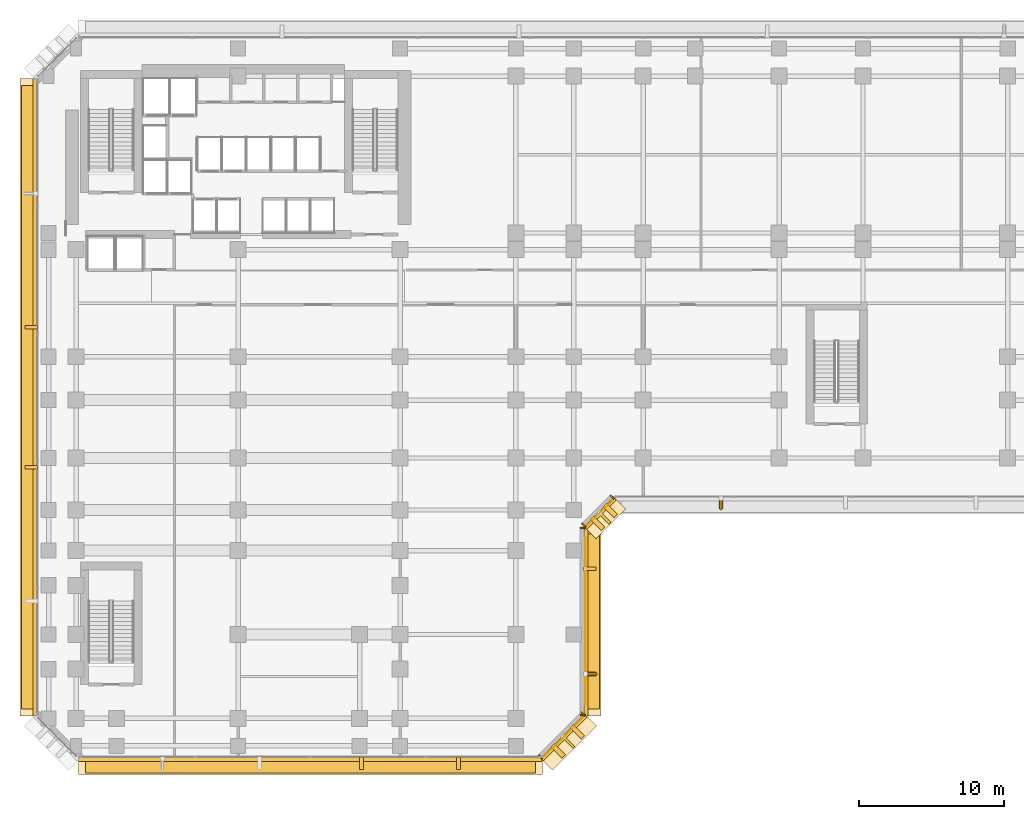
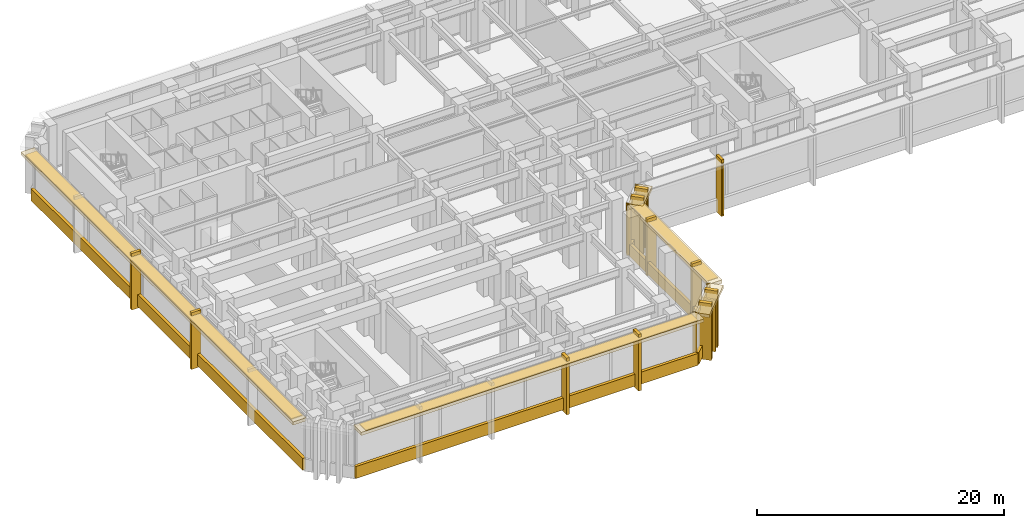
# One storey, part 14 of 20: 30 coverings, 7 shading devices.
"""IFC4 building model written with IfcOpenShell, lengths in metres."""

from ifc_helpers import new_model, si_unit, direction, frame, origin, origin_2d, place, context, subcontext, project, spatial, rectangle, extrude, material, layer, layer_set, material_profile, profile_set, type_object, element, save


model = new_model("IFC4")

# Units and contexts
model_context = context("Model", 3, precision=1e-05, world=origin(), true_north=direction((0.0, 1.0)))
body_context = subcontext(model_context, "Body", "Model", "MODEL_VIEW")
ifc_project = project(units=[si_unit("LENGTHUNIT", "METRE"), si_unit("AREAUNIT", "SQUARE_METRE"), si_unit("VOLUMEUNIT", "CUBIC_METRE"), si_unit("PLANEANGLEUNIT", "RADIAN"), si_unit("MASSUNIT", "GRAM", prefix="KILO")], contexts=[model_context])

# Site, building, storey
site_placement = place(None, origin())
site = spatial("IfcSite", under=ifc_project, at=site_placement, CompositionType="ELEMENT")
building_placement = place(site_placement, origin())
building = spatial("IfcBuilding", under=site, at=building_placement, Name="Kefirva Bronze Tower", CompositionType="ELEMENT")
storey_placement = place(building_placement, frame((0.0, 0.0, 5.93994140625)))
storey = spatial("IfcBuildingStorey", under=building, at=storey_placement, Name="L01", CompositionType="ELEMENT", Elevation=5.93994140625)

# Coverings
ifc_material = material(Name="Bronze anodised aluminium", Category="aluminium")
ifc_layer_1 = layer(ifc_material, 0.02001953125, Name="Bronze anodised aluminium")
ifc_layer_set_1 = layer_set([ifc_layer_1], Name="Bronze anodised aluminium")
covering_type_1 = type_object("IfcCoveringType", Name="Anodised Bronze Spandrel Cladding 20mm", PredefinedType="CLADDING", material=ifc_layer_set_1)
covering_1_placement = place(storey_placement, frame((17.0, -2.0400390625, -0.15966796875), z_axis=(0.0, 0.0, 1.0), x_axis=(1.0, 0.0, 0.0)))
element("IfcCovering", 1, at=covering_1_placement, inside=storey, type_object=covering_type_1, Name="L01 Streamline Horizontal Spandrel Band 0", PredefinedType="CLADDING", context=body_context, shape_type="SweptSolid", body=[
    extrude(rectangle(XDim=32.0400390625, YDim=0.280029296875, at=origin_2d()), origin(), (0.0, 0.0, 1.0), 1.179931640625),
])
covering_2_placement = place(storey_placement, frame((34.507080078125, -0.507080078125, 4.5400390625), z_axis=(0.0, 0.0, 1.0), x_axis=(0.707106781187, 0.707106781187, 0.0)))
element("IfcCovering", 2, at=covering_2_placement, inside=storey, type_object=covering_type_1, Name="L01 Bronze Spandrel Cladding 1", PredefinedType="CLADDING", context=body_context, shape_type="SweptSolid", body=[
    extrude(rectangle(XDim=3.719482421875, YDim=0.02001953125, at=origin_2d()), origin(), (0.0, 0.0, 1.0), 0.39990234375),
])
for number, where, z_axis, x_axis, name in (
    (3, (32.8974609375, -1.847900390625, 0.0), (0.0, 0.0, 1.0), (0.707106781187, 0.707106781187, 0.0), "L01 Facade Joint Closure Panel 1S"),
    (4, (35.847900390625, 1.1025390625, 0.0), (0.0, 0.0, 1.0), (0.707106781187, 0.707106781187, 0.0), "L01 Facade Joint Closure Panel 1E"),
):
    element("IfcCovering", number, at=place(storey_placement, frame(where, z_axis=z_axis, x_axis=x_axis)), inside=storey, type_object=covering_type_1, Name=name, PredefinedType="CLADDING", context=body_context, shape_type="SweptSolid", body=[
        extrude(rectangle(XDim=0.10009765625, YDim=0.360107421875, at=origin_2d()), origin(), (0.0, 0.0, 1.0), 4.9599609375),
    ])
covering_3_placement = place(storey_placement, frame((34.5283203125, -0.5283203125, -0.15966796875), z_axis=(0.0, 0.0, 1.0), x_axis=(0.707106781187, 0.707106781187, 0.0)))
element("IfcCovering", 5, at=covering_3_placement, inside=storey, type_object=covering_type_1, Name="L01 Streamline Horizontal Spandrel Band 1", PredefinedType="CLADDING", context=body_context, shape_type="SweptSolid", body=[
    extrude(rectangle(XDim=4.28271484375, YDim=0.280029296875, at=origin_2d()), origin(), (0.0, 0.0, 1.0), 1.179931640625),
])
covering_4_placement = place(storey_placement, frame((36.010009765625, 7.5, 4.5400390625), z_axis=(0.0, 0.0, 1.0), x_axis=(0.0, 1.0, 0.0)))
element("IfcCovering", 6, at=covering_4_placement, inside=storey, type_object=covering_type_1, Name="L01 Bronze Spandrel Cladding 2", PredefinedType="CLADDING", context=body_context, shape_type="SweptSolid", body=[
    extrude(rectangle(XDim=11.60107421875, YDim=0.02001953125, at=origin_2d()), origin(), (0.0, 0.0, 1.0), 0.39990234375),
])
for number, where, z_axis, x_axis, name in (
    (7, (35.820068359375, 1.034912109375, 0.0), (0.0, 0.0, 1.0), (0.0, 1.0, 0.0), "L01 Facade Joint Closure Panel 2S"),
    (8, (35.820068359375, 13.965087890625, 0.0), (0.0, 0.0, 1.0), (0.0, 1.0, 0.0), "L01 Facade Joint Closure Panel 2E"),
):
    element("IfcCovering", number, at=place(storey_placement, frame(where, z_axis=z_axis, x_axis=x_axis)), inside=storey, type_object=covering_type_1, Name=name, PredefinedType="CLADDING", context=body_context, shape_type="SweptSolid", body=[
        extrude(rectangle(XDim=0.10009765625, YDim=0.360107421875, at=origin_2d()), origin(), (0.0, 0.0, 1.0), 4.9599609375),
    ])
covering_5_placement = place(storey_placement, frame((36.0400390625, 7.5, -0.15966796875), z_axis=(0.0, 0.0, 1.0), x_axis=(0.0, 1.0, 0.0)))
element("IfcCovering", 9, at=covering_5_placement, inside=storey, type_object=covering_type_1, Name="L01 Streamline Horizontal Spandrel Band 2", PredefinedType="CLADDING", context=body_context, shape_type="SweptSolid", body=[
    extrude(rectangle(XDim=13.0400390625, YDim=0.280029296875, at=origin_2d()), origin(), (0.0, 0.0, 1.0), 1.179931640625),
])
covering_6_placement = place(storey_placement, frame((37.007080078125, 14.992919921875, 4.5400390625), z_axis=(0.0, 0.0, 1.0), x_axis=(0.707106781187, 0.707106781187, 0.0)))
element("IfcCovering", 10, at=covering_6_placement, inside=storey, type_object=covering_type_1, Name="L01 Bronze Spandrel Cladding 3", PredefinedType="CLADDING", context=body_context, shape_type="SweptSolid", body=[
    extrude(rectangle(XDim=2.446533203125, YDim=0.02001953125, at=origin_2d()), origin(), (0.0, 0.0, 1.0), 0.39990234375),
])
for number, where, z_axis, x_axis, name in (
    (11, (35.8974609375, 14.152099609375, 0.0), (0.0, 0.0, 1.0), (0.707106781187, 0.707106781187, 0.0), "L01 Facade Joint Closure Panel 3S"),
    (12, (37.847900390625, 16.1025390625, 0.0), (0.0, 0.0, 1.0), (0.707106781187, 0.707106781187, 0.0), "L01 Facade Joint Closure Panel 3E"),
):
    element("IfcCovering", number, at=place(storey_placement, frame(where, z_axis=z_axis, x_axis=x_axis)), inside=storey, type_object=covering_type_1, Name=name, PredefinedType="CLADDING", context=body_context, shape_type="SweptSolid", body=[
        extrude(rectangle(XDim=0.10009765625, YDim=0.360107421875, at=origin_2d()), origin(), (0.0, 0.0, 1.0), 4.9599609375),
    ])
covering_7_placement = place(storey_placement, frame((37.0283203125, 14.9716796875, -0.15966796875), z_axis=(0.0, 0.0, 1.0), x_axis=(0.707106781187, 0.707106781187, 0.0)))
element("IfcCovering", 13, at=covering_7_placement, inside=storey, type_object=covering_type_1, Name="L01 Streamline Horizontal Spandrel Band 3", PredefinedType="CLADDING", context=body_context, shape_type="SweptSolid", body=[
    extrude(rectangle(XDim=2.868408203125, YDim=0.280029296875, at=origin_2d()), origin(), (0.0, 0.0, 1.0), 1.179931640625),
])
covering_8_placement = place(storey_placement, frame((-2.0400390625, 23.0, -0.15966796875), z_axis=(0.0, 0.0, 1.0), x_axis=(0.0, -1.0, 0.0)))
element("IfcCovering", 14, at=covering_8_placement, inside=storey, type_object=covering_type_1, Name="L01 Streamline Horizontal Spandrel Band 10", PredefinedType="CLADDING", context=body_context, shape_type="SweptSolid", body=[
    extrude(rectangle(XDim=44.0400390625, YDim=0.280029296875, at=origin_2d()), origin(), (0.0, 0.0, 1.0), 1.179931640625),
])

# Shading devices
ifc_material_profile_1 = material_profile(ifc_material, rectangle(XDim=0.179931640625, YDim=1.080078125, at=origin_2d()), Name="BRONZE BUTTRESS FIN 180x1080")
ifc_profile_set_1 = profile_set([ifc_material_profile_1], Name="Bronze anodised aluminium")
shading_device_type_1 = type_object("IfcShadingDeviceType", Name="Chamfered Corner Buttress Bronze Fin 1080mm", PredefinedType="USERDEFINED", material=ifc_profile_set_1)
for number, where, z_axis, x_axis, name in (
    (15, (34.8251953125, -0.8251953125, -0.139892578125), (0.0, 0.0, 1.0), (0.707106781187, 0.707106781187, 0.0), "L01 Chamfered Corner Buttress Fin 6"),
    (16, (37.3251953125, 14.6748046875, -0.139892578125), (0.0, 0.0, 1.0), (0.707106781187, 0.707106781187, 0.0), "L01 Chamfered Corner Buttress Fin 10"),
):
    element("IfcShadingDevice", number, at=place(storey_placement, frame(where, z_axis=z_axis, x_axis=x_axis)), inside=storey, type_object=shading_device_type_1, Name=name, ObjectType="VERTICAL FIN", PredefinedType="USERDEFINED", context=body_context, shape_type="SweptSolid", body=[
        extrude(rectangle(XDim=0.179931640625, YDim=1.080078125, at=origin_2d()), origin(), (0.0, 0.0, 1.0), 5.099853515625),
    ])
ifc_layer_2 = layer(ifc_material, 0.1201171875, Name="Bronze anodised aluminium")
ifc_layer_set_2 = layer_set([ifc_layer_2], Name="Bronze anodised aluminium")
shading_device_type_2 = type_object("IfcShadingDeviceType", Name="Podium Deep Bronze Canopy Sunshade 1050mm", PredefinedType="JALOUSIE", material=ifc_layer_set_2)
shading_device_1_placement = place(storey_placement, frame((17.0, -2.445068359375, 4.85498046875), z_axis=(0.0, 0.0, 1.0), x_axis=(1.0, 0.0, 0.0)))
element("IfcShadingDevice", 17, at=shading_device_1_placement, inside=storey, type_object=shading_device_type_2, Name="L01 Horizontal Bronze Sunshade Band 0", PredefinedType="JALOUSIE", context=body_context, shape_type="SweptSolid", body=[
    extrude(rectangle(XDim=31.090087890625, YDim=1.050048828125, at=origin_2d()), origin(), (0.0, 0.0, 1.0), 0.090087890625),
])
shading_device_2_placement = place(storey_placement, frame((36.445068359375, 7.5, 4.85498046875), z_axis=(0.0, 0.0, 1.0), x_axis=(0.0, 1.0, 0.0)))
element("IfcShadingDevice", 18, at=shading_device_2_placement, inside=storey, type_object=shading_device_type_2, Name="L01 Horizontal Bronze Sunshade Band 2", PredefinedType="JALOUSIE", context=body_context, shape_type="SweptSolid", body=[
    extrude(rectangle(XDim=12.090087890625, YDim=1.050048828125, at=origin_2d()), origin(), (0.0, 0.0, 1.0), 0.090087890625),
])
shading_device_3_placement = place(storey_placement, frame((-2.445068359375, 23.0, 4.85498046875), z_axis=(0.0, 0.0, 1.0), x_axis=(0.0, -1.0, 0.0)))
element("IfcShadingDevice", 19, at=shading_device_3_placement, inside=storey, type_object=shading_device_type_2, Name="L01 Horizontal Bronze Sunshade Band 10", PredefinedType="JALOUSIE", context=body_context, shape_type="SweptSolid", body=[
    extrude(rectangle(XDim=43.090087890625, YDim=1.050048828125, at=origin_2d()), origin(), (0.0, 0.0, 1.0), 0.090087890625),
])

# Coverings
ifc_layer_3 = layer(ifc_material, 0.179931640625, Name="Bronze anodised aluminium")
ifc_layer_set_3 = layer_set([ifc_layer_3], Name="Bronze anodised aluminium")
covering_type_2 = type_object("IfcCoveringType", Name="Streamline Bronze Sunshade Eyebrow Cladding 180mm", PredefinedType="CLADDING", material=ifc_layer_set_3)
covering_9_placement = place(storey_placement, frame((17.0, -2.4599609375, 4.64013671875), z_axis=(0.0, 0.0, 1.0), x_axis=(1.0, 0.0, 0.0)))
element("IfcCovering", 20, at=covering_9_placement, inside=storey, type_object=covering_type_2, Name="L01 Streamline Bronze Sunshade Eyebrow 0", PredefinedType="CLADDING", context=body_context, shape_type="SweptSolid", body=[
    extrude(rectangle(XDim=32.080078125, YDim=1.239990234375, at=origin_2d()), origin(), (0.0, 0.0, 1.0), 0.320068359375),
])
covering_10_placement = place(storey_placement, frame((34.8251953125, -0.8251953125, 4.64013671875), z_axis=(0.0, 0.0, 1.0), x_axis=(0.707106781187, 0.707106781187, 0.0)))
element("IfcCovering", 21, at=covering_10_placement, inside=storey, type_object=covering_type_2, Name="L01 Streamline Bronze Sunshade Eyebrow 1", PredefinedType="CLADDING", context=body_context, shape_type="SweptSolid", body=[
    extrude(rectangle(XDim=4.322509765625, YDim=1.239990234375, at=origin_2d()), origin(), (0.0, 0.0, 1.0), 0.320068359375),
])
covering_11_placement = place(storey_placement, frame((36.4599609375, 7.5, 4.64013671875), z_axis=(0.0, 0.0, 1.0), x_axis=(0.0, 1.0, 0.0)))
element("IfcCovering", 22, at=covering_11_placement, inside=storey, type_object=covering_type_2, Name="L01 Streamline Bronze Sunshade Eyebrow 2", PredefinedType="CLADDING", context=body_context, shape_type="SweptSolid", body=[
    extrude(rectangle(XDim=13.080078125, YDim=1.239990234375, at=origin_2d()), origin(), (0.0, 0.0, 1.0), 0.320068359375),
])
covering_12_placement = place(storey_placement, frame((37.3251953125, 14.6748046875, 4.64013671875), z_axis=(0.0, 0.0, 1.0), x_axis=(0.707106781187, 0.707106781187, 0.0)))
element("IfcCovering", 23, at=covering_12_placement, inside=storey, type_object=covering_type_2, Name="L01 Streamline Bronze Sunshade Eyebrow 3", PredefinedType="CLADDING", context=body_context, shape_type="SweptSolid", body=[
    extrude(rectangle(XDim=2.908447265625, YDim=1.239990234375, at=origin_2d()), origin(), (0.0, 0.0, 1.0), 0.320068359375),
])
covering_13_placement = place(storey_placement, frame((-2.4599609375, 23.0, 4.64013671875), z_axis=(0.0, 0.0, 1.0), x_axis=(0.0, -1.0, 0.0)))
element("IfcCovering", 24, at=covering_13_placement, inside=storey, type_object=covering_type_2, Name="L01 Streamline Bronze Sunshade Eyebrow 10", PredefinedType="CLADDING", context=body_context, shape_type="SweptSolid", body=[
    extrude(rectangle(XDim=44.080078125, YDim=1.239990234375, at=origin_2d()), origin(), (0.0, 0.0, 1.0), 0.320068359375),
])
ifc_layer_4 = layer(ifc_material, 0.260009765625, Name="Bronze anodised aluminium")
ifc_layer_set_4 = layer_set([ifc_layer_4], Name="Bronze anodised aluminium")
covering_type_3 = type_object("IfcCoveringType", Name="Unbroken Bronze Buttress Fin Cladding 260mm", PredefinedType="CLADDING", material=ifc_layer_set_4)
for number, where, z_axis, x_axis, name in (
    (25, (20.52001953125, -2.300048828125, -0.320068359375), (0.0, 0.0, 1.0), (1.0, 0.0, 0.0), "L01 Unbroken Vertical Bronze Rib Fin 3"),
    (26, (27.239990234375, -2.300048828125, -0.320068359375), (0.0, 0.0, 1.0), (1.0, 0.0, 0.0), "L01 Unbroken Vertical Bronze Rib Fin 4"),
):
    element("IfcCovering", number, at=place(storey_placement, frame(where, z_axis=z_axis, x_axis=x_axis)), inside=storey, type_object=covering_type_3, Name=name, PredefinedType="CLADDING", context=body_context, shape_type="SweptSolid", body=[
        extrude(rectangle(XDim=0.260009765625, YDim=0.8798828125, at=origin_2d()), origin(), (0.0, 0.0, 1.0), 5.60009765625),
    ])
for number, where, z_axis, x_axis, name in (
    (27, (34.122802734375, -1.44287109375, -0.320068359375), (0.0, 0.0, 1.0), (0.707106781187, 0.707106781187, 0.0), "L01 Chamfered Corner Buttress Fin Cladding 5"),
    (28, (35.44287109375, -0.122802734375, -0.320068359375), (0.0, 0.0, 1.0), (0.707106781187, 0.707106781187, 0.0), "L01 Chamfered Corner Buttress Fin Cladding 6"),
):
    element("IfcCovering", number, at=place(storey_placement, frame(where, z_axis=z_axis, x_axis=x_axis)), inside=storey, type_object=covering_type_3, Name=name, PredefinedType="CLADDING", context=body_context, shape_type="SweptSolid", body=[
        extrude(rectangle(XDim=0.340087890625, YDim=1.080078125, at=origin_2d()), origin(), (0.0, 0.0, 1.0), 5.60009765625),
    ])
for number, where, z_axis, x_axis, name in (
    (29, (36.300048828125, 3.860107421875, -0.320068359375), (0.0, 0.0, 1.0), (0.0, 1.0, 0.0), "L01 Unbroken Vertical Bronze Rib Fin 7"),
    (30, (36.300048828125, 11.139892578125, -0.320068359375), (0.0, 0.0, 1.0), (0.0, 1.0, 0.0), "L01 Unbroken Vertical Bronze Rib Fin 8"),
):
    element("IfcCovering", number, at=place(storey_placement, frame(where, z_axis=z_axis, x_axis=x_axis)), inside=storey, type_object=covering_type_3, Name=name, PredefinedType="CLADDING", context=body_context, shape_type="SweptSolid", body=[
        extrude(rectangle(XDim=0.260009765625, YDim=0.8798828125, at=origin_2d()), origin(), (0.0, 0.0, 1.0), 5.60009765625),
    ])
for number, where, z_axis, x_axis, name in (
    (31, (36.8427734375, 14.277099609375, -0.320068359375), (0.0, 0.0, 1.0), (0.707106781187, 0.707106781187, 0.0), "L01 Chamfered Corner Buttress Fin Cladding 9"),
    (32, (37.722900390625, 15.1572265625, -0.320068359375), (0.0, 0.0, 1.0), (0.707106781187, 0.707106781187, 0.0), "L01 Chamfered Corner Buttress Fin Cladding 10"),
):
    element("IfcCovering", number, at=place(storey_placement, frame(where, z_axis=z_axis, x_axis=x_axis)), inside=storey, type_object=covering_type_3, Name=name, PredefinedType="CLADDING", context=body_context, shape_type="SweptSolid", body=[
        extrude(rectangle(XDim=0.340087890625, YDim=1.080078125, at=origin_2d()), origin(), (0.0, 0.0, 1.0), 5.60009765625),
    ])
for number, where, z_axis, x_axis, name in (
    (33, (45.3798828125, 15.699951171875, -0.320068359375), (0.0, 0.0, 1.0), (1.0, 0.0, 0.0), "L01 Unbroken Vertical Bronze Rib Fin 11"),
    (34, (-2.300048828125, 27.840087890625, -0.320068359375), (0.0, 0.0, 1.0), (0.0, -1.0, 0.0), "L01 Unbroken Vertical Bronze Rib Fin 30"),
    (35, (-2.300048828125, 18.159912109375, -0.320068359375), (0.0, 0.0, 1.0), (0.0, -1.0, 0.0), "L01 Unbroken Vertical Bronze Rib Fin 31"),
):
    element("IfcCovering", number, at=place(storey_placement, frame(where, z_axis=z_axis, x_axis=x_axis)), inside=storey, type_object=covering_type_3, Name=name, PredefinedType="CLADDING", context=body_context, shape_type="SweptSolid", body=[
        extrude(rectangle(XDim=0.260009765625, YDim=0.8798828125, at=origin_2d()), origin(), (0.0, 0.0, 1.0), 5.60009765625),
    ])

# Shading devices
ifc_material_profile_2 = material_profile(ifc_material, rectangle(XDim=0.139892578125, YDim=0.8798828125, at=origin_2d()), Name="BRONZE FIN 140x880")
ifc_profile_set_2 = profile_set([ifc_material_profile_2], Name="Bronze anodised aluminium")
shading_device_type_3 = type_object("IfcShadingDeviceType", Name="Unbroken Vertical Bronze Facade Fin 880mm", PredefinedType="USERDEFINED", material=ifc_profile_set_2)
for number, where, z_axis, x_axis, name in (
    (36, (36.360107421875, 3.860107421875, -0.139892578125), (0.0, 0.0, 1.0), (0.0, 1.0, 0.0), "L01 Vertical Bronze Rib Fin 7"),
    (37, (45.3798828125, 15.639892578125, -0.139892578125), (0.0, 0.0, 1.0), (1.0, 0.0, 0.0), "L01 Vertical Bronze Rib Fin 11"),
):
    element("IfcShadingDevice", number, at=place(storey_placement, frame(where, z_axis=z_axis, x_axis=x_axis)), inside=storey, type_object=shading_device_type_3, Name=name, ObjectType="VERTICAL FIN", PredefinedType="USERDEFINED", context=body_context, shape_type="SweptSolid", body=[
        extrude(rectangle(XDim=0.139892578125, YDim=0.8798828125, at=origin_2d()), origin(), (0.0, 0.0, 1.0), 5.099853515625),
    ])

save(model, "model.ifc")
